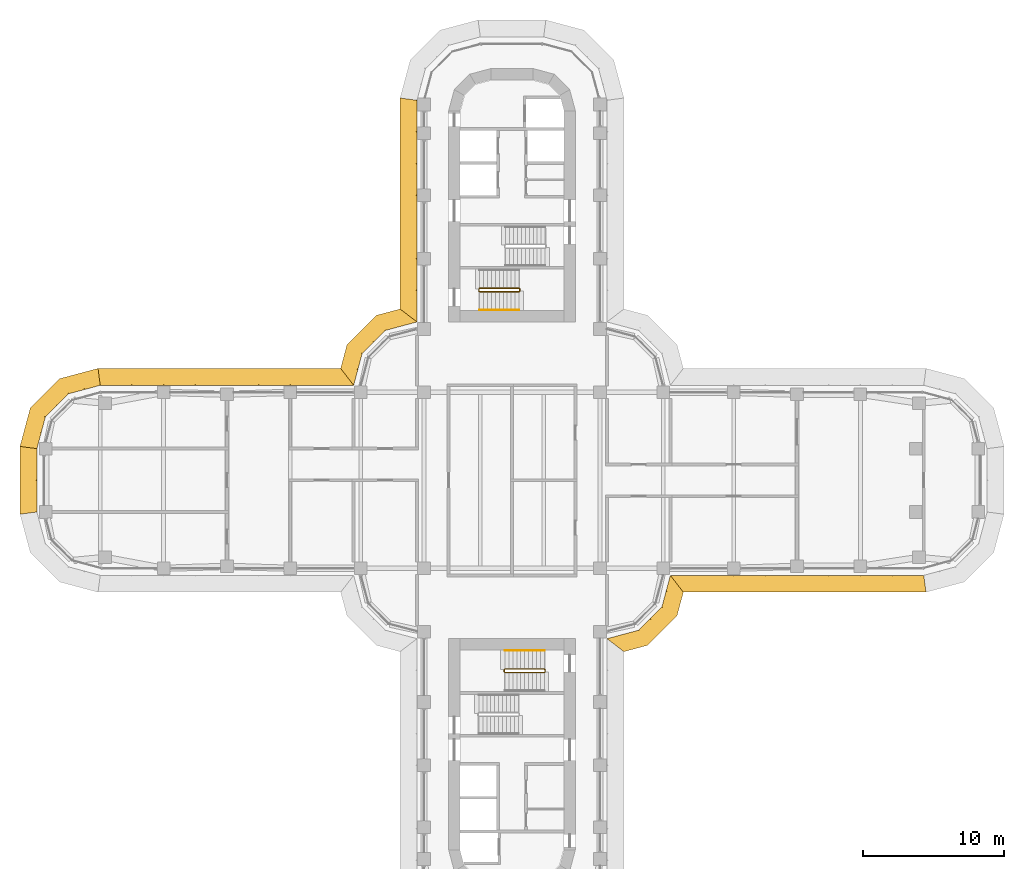
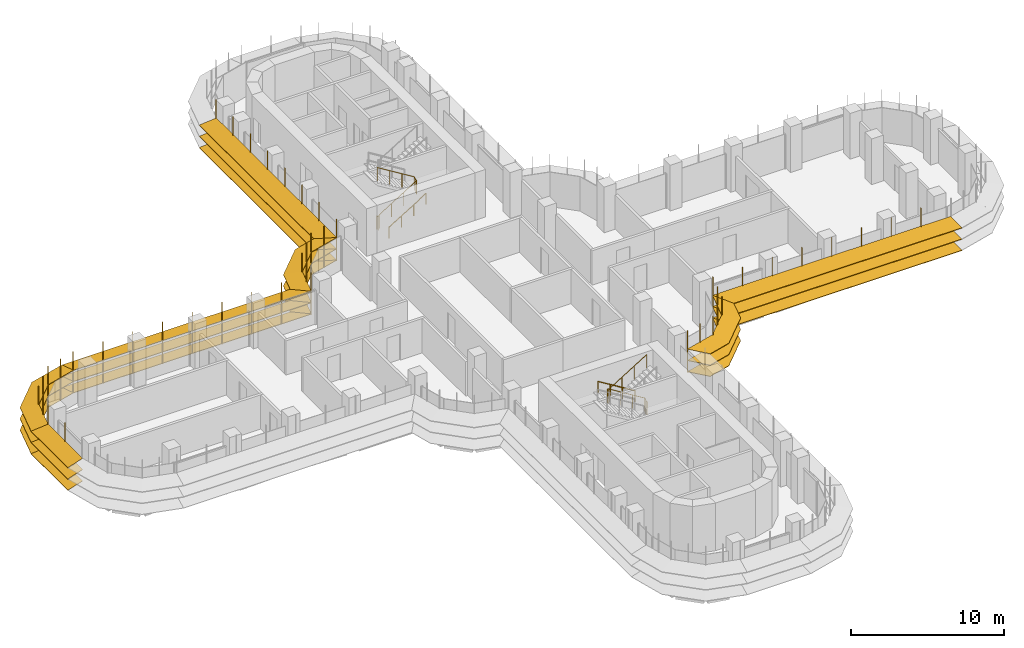
# One storey, part 20 of 22: 7 shading devices, 4 railings.
"""IFC4 building model written with IfcOpenShell, lengths in metres."""

from ifc_helpers import new_model, si_unit, direction, frame, origin, origin_2d, place, context, subcontext, project, spatial, polyline, circle, outline, extrude, faceted_brep, source, transform, mapped, material, type_object, element, save


model = new_model("IFC4")

# Units and contexts
model_context = context("Model", 3, precision=1e-05, world=origin(), true_north=direction((0.0, 1.0)))
body_context = subcontext(model_context, "Body", "Model", "MODEL_VIEW")
ifc_project = project(units=[si_unit("LENGTHUNIT", "METRE"), si_unit("AREAUNIT", "SQUARE_METRE"), si_unit("VOLUMEUNIT", "CUBIC_METRE"), si_unit("PLANEANGLEUNIT", "RADIAN"), si_unit("MASSUNIT", "GRAM", prefix="KILO")], contexts=[model_context])

# Site, building, storey
site_placement = place(None, origin())
site = spatial("IfcSite", under=ifc_project, at=site_placement, CompositionType="ELEMENT")
building_placement = place(site_placement, origin())
building = spatial("IfcBuilding", under=site, at=building_placement, Name="Zarbagh Exchange Tower", CompositionType="ELEMENT")
storey_placement = place(building_placement, frame((0.0, 0.0, 98.0)))
storey = spatial("IfcBuildingStorey", under=building, at=storey_placement, Name="L22", CompositionType="ELEMENT", Elevation=98.0)

# Railings
ifc_material_1 = material(Name="Stainless steel", Category="steel")
railing_type_1 = type_object("IfcRailingType", Name="Stair guard 1100 mm", PredefinedType="GUARDRAIL", material=ifc_material_1)
railing_1_placement = place(storey_placement, frame((-2.35009765625, 13.60009765625, 0.0)))
element("IfcRailing", 1, at=railing_1_placement, inside=storey, type_object=railing_type_1, Name="ST2 stair guard 1", PredefinedType="GUARDRAIL", context=body_context, shape_type="SweptSolid", body=[
    extrude(circle(Radius=0.02392578125, at=origin_2d()), frame((0.0, 0.0, 1.076171875), z_axis=(0.0, -1.0, 0.0), x_axis=(1.0, 0.0, 0.0)), (0.0, 0.0, 1.0), 0.150146484375),
    extrude(circle(Radius=0.02392578125, at=origin_2d()), frame((0.0, -0.150146484375, 1.076171875), z_axis=(0.268277960024, -0.268277960024, 0.925231793839), x_axis=(0.707106781187, 0.707106781187, 0.0)), (0.0, 0.0, 1.0), 0.1865234375),
    extrude(circle(Radius=0.02392578125, at=origin_2d()), frame((0.050048828125, -0.2001953125, 1.24853515625), z_axis=(0.851089632645, 0.0, 0.525020415988), x_axis=(0.0, 1.0, 0.0)), (0.0, 0.0, 1.0), 3.2900390625),
    extrude(circle(Radius=0.02392578125, at=origin_2d()), frame((2.85009765625, -0.2001953125, 2.97607421875), z_axis=(0.707106781187, 0.707106781187, 0.0), x_axis=(-0.707106781187, 0.707106781187, 0.0)), (0.0, 0.0, 1.0), 0.07080078125),
    extrude(circle(Radius=0.02392578125, at=origin_2d()), frame((2.900146484375, -0.150146484375, 2.97607421875), z_axis=(0.0, 1.0, 0.0), x_axis=(-1.0, 0.0, 0.0)), (0.0, 0.0, 1.0), 0.150146484375),
    extrude(circle(Radius=0.02392578125, at=origin_2d()), frame((2.900146484375, 0.0, 2.97607421875), z_axis=(-0.268047150085, 0.266739603011, 0.925743328097), x_axis=(-0.705375805398, -0.708833529934, 0.0)), (0.0, 0.0, 1.0), 0.186767578125),
    extrude(circle(Radius=0.02392578125, at=origin_2d()), frame((2.85009765625, 0.0498046875, 3.14892578125), z_axis=(-0.851089632645, 0.0, 0.525020415988), x_axis=(0.0, -1.0, 0.0)), (0.0, 0.0, 1.0), 3.2900390625),
    extrude(circle(Radius=0.02099609375, at=origin_2d()), origin(), (0.0, 0.0, 1.0), 1.052001953125),
    extrude(circle(Radius=0.02099609375, at=origin_2d()), frame((0.0, -0.150146484375, 0.0)), (0.0, 0.0, 1.0), 1.052001953125),
    extrude(circle(Radius=0.02099609375, at=origin_2d()), frame((0.050048828125, -0.2001953125, 0.172607421875)), (0.0, 0.0, 1.0), 1.052001953125),
    extrude(circle(Radius=0.02099609375, at=origin_2d()), frame((0.9833984375, -0.2001953125, 0.748291015625)), (0.0, 0.0, 1.0), 1.052001953125),
    extrude(circle(Radius=0.02099609375, at=origin_2d()), frame((1.916748046875, -0.2001953125, 1.32421875)), (0.0, 0.0, 1.0), 1.052001953125),
    extrude(circle(Radius=0.02099609375, at=origin_2d()), frame((2.85009765625, -0.2001953125, 1.89990234375)), (0.0, 0.0, 1.0), 1.052001953125),
    extrude(circle(Radius=0.02099609375, at=origin_2d()), frame((2.900146484375, -0.150146484375, 1.89990234375)), (0.0, 0.0, 1.0), 1.052001953125),
    extrude(circle(Radius=0.02099609375, at=origin_2d()), frame((2.900146484375, 0.0, 1.89990234375)), (0.0, 0.0, 1.0), 1.052001953125),
    extrude(circle(Radius=0.02099609375, at=origin_2d()), frame((2.85009765625, 0.0498046875, 2.07275390625)), (0.0, 0.0, 1.0), 1.052001953125),
    extrude(circle(Radius=0.02099609375, at=origin_2d()), frame((1.916748046875, 0.0498046875, 2.6484375)), (0.0, 0.0, 1.0), 1.052001953125),
    extrude(circle(Radius=0.02099609375, at=origin_2d()), frame((0.9833984375, 0.0498046875, 3.224365234375)), (0.0, 0.0, 1.0), 1.052001953125),
    extrude(circle(Radius=0.02099609375, at=origin_2d()), frame((0.050048828125, 0.0498046875, 3.800048828125)), (0.0, 0.0, 1.0), 1.052001953125),
])
railing_2_placement = place(storey_placement, frame((2.35009765625, -13.60009765625, 0.0)))
element("IfcRailing", 2, at=railing_2_placement, inside=storey, type_object=railing_type_1, Name="ST4 stair guard 1", PredefinedType="GUARDRAIL", context=body_context, shape_type="SweptSolid", body=[
    extrude(circle(Radius=0.02392578125, at=origin_2d()), frame((0.0, 0.0, 1.076171875), z_axis=(0.0, 1.0, 0.0), x_axis=(-1.0, 0.0, 0.0)), (0.0, 0.0, 1.0), 0.150146484375),
    extrude(circle(Radius=0.02392578125, at=origin_2d()), frame((0.0, 0.150146484375, 1.076171875), z_axis=(-0.268277960024, 0.268277960024, 0.925231793839), x_axis=(-0.707106781187, -0.707106781187, 0.0)), (0.0, 0.0, 1.0), 0.1865234375),
    extrude(circle(Radius=0.02392578125, at=origin_2d()), frame((-0.050048828125, 0.2001953125, 1.24853515625), z_axis=(-0.851089632645, 0.0, 0.525020415988), x_axis=(0.0, -1.0, 0.0)), (0.0, 0.0, 1.0), 3.2900390625),
    extrude(circle(Radius=0.02392578125, at=origin_2d()), frame((-2.85009765625, 0.2001953125, 2.97607421875), z_axis=(-0.707106781187, -0.707106781187, 0.0), x_axis=(0.707106781187, -0.707106781187, 0.0)), (0.0, 0.0, 1.0), 0.07080078125),
    extrude(circle(Radius=0.02392578125, at=origin_2d()), frame((-2.900146484375, 0.150146484375, 2.97607421875), z_axis=(0.0, -1.0, 0.0), x_axis=(1.0, 0.0, 0.0)), (0.0, 0.0, 1.0), 0.150146484375),
    extrude(circle(Radius=0.02392578125, at=origin_2d()), frame((-2.900146484375, 0.0, 2.97607421875), z_axis=(0.268047150085, -0.266739603011, 0.925743328097), x_axis=(0.705375805398, 0.708833529934, 0.0)), (0.0, 0.0, 1.0), 0.186767578125),
    extrude(circle(Radius=0.02392578125, at=origin_2d()), frame((-2.85009765625, -0.0498046875, 3.14892578125), z_axis=(0.851089632645, 0.0, 0.525020415988), x_axis=(0.0, 1.0, 0.0)), (0.0, 0.0, 1.0), 3.2900390625),
    extrude(circle(Radius=0.02099609375, at=origin_2d()), origin(), (0.0, 0.0, 1.0), 1.052001953125),
    extrude(circle(Radius=0.02099609375, at=origin_2d()), frame((0.0, 0.150146484375, 0.0)), (0.0, 0.0, 1.0), 1.052001953125),
    extrude(circle(Radius=0.02099609375, at=origin_2d()), frame((-0.050048828125, 0.2001953125, 0.172607421875)), (0.0, 0.0, 1.0), 1.052001953125),
    extrude(circle(Radius=0.02099609375, at=origin_2d()), frame((-0.9833984375, 0.2001953125, 0.748291015625)), (0.0, 0.0, 1.0), 1.052001953125),
    extrude(circle(Radius=0.02099609375, at=origin_2d()), frame((-1.916748046875, 0.2001953125, 1.32421875)), (0.0, 0.0, 1.0), 1.052001953125),
    extrude(circle(Radius=0.02099609375, at=origin_2d()), frame((-2.85009765625, 0.2001953125, 1.89990234375)), (0.0, 0.0, 1.0), 1.052001953125),
    extrude(circle(Radius=0.02099609375, at=origin_2d()), frame((-2.900146484375, 0.150146484375, 1.89990234375)), (0.0, 0.0, 1.0), 1.052001953125),
    extrude(circle(Radius=0.02099609375, at=origin_2d()), frame((-2.900146484375, 0.0, 1.89990234375)), (0.0, 0.0, 1.0), 1.052001953125),
    extrude(circle(Radius=0.02099609375, at=origin_2d()), frame((-2.85009765625, -0.0498046875, 2.07275390625)), (0.0, 0.0, 1.0), 1.052001953125),
    extrude(circle(Radius=0.02099609375, at=origin_2d()), frame((-1.916748046875, -0.0498046875, 2.6484375)), (0.0, 0.0, 1.0), 1.052001953125),
    extrude(circle(Radius=0.02099609375, at=origin_2d()), frame((-0.9833984375, -0.0498046875, 3.224365234375)), (0.0, 0.0, 1.0), 1.052001953125),
    extrude(circle(Radius=0.02099609375, at=origin_2d()), frame((-0.050048828125, -0.0498046875, 3.800048828125)), (0.0, 0.0, 1.0), 1.052001953125),
])
railing_type_2 = type_object("IfcRailingType", Name="Stair handrail 900 mm", PredefinedType="HANDRAIL", material=ifc_material_1)
railing_3_placement = place(storey_placement, frame((-2.300048828125, 12.10009765625, 0.172607421875)))
element("IfcRailing", 3, at=railing_3_placement, inside=storey, type_object=railing_type_2, Name="ST2 stair handrail 1", PredefinedType="HANDRAIL", context=body_context, shape_type="SweptSolid", body=[
    extrude(circle(Radius=0.02392578125, at=origin_2d()), frame((0.0, 0.0, 0.8759765625), z_axis=(0.851089632645, 0.0, 0.525020415988), x_axis=(0.0, 1.0, 0.0)), (0.0, 0.0, 1.0), 3.2900390625),
    extrude(circle(Radius=0.02099609375, at=origin_2d()), origin(), (0.0, 0.0, 1.0), 0.851806640625),
    extrude(circle(Radius=0.02099609375, at=origin_2d()), frame((0.933349609375, 0.0, 0.57568359375)), (0.0, 0.0, 1.0), 0.851806640625),
    extrude(circle(Radius=0.02099609375, at=origin_2d()), frame((1.86669921875, 0.0, 1.151611328125)), (0.0, 0.0, 1.0), 0.851806640625),
    extrude(circle(Radius=0.02099609375, at=origin_2d()), frame((2.800048828125, 0.0, 1.727294921875)), (0.0, 0.0, 1.0), 0.851806640625),
])
railing_4_placement = place(storey_placement, frame((2.300048828125, -12.10009765625, 0.172607421875)))
element("IfcRailing", 4, at=railing_4_placement, inside=storey, type_object=railing_type_2, Name="ST4 stair handrail 1", PredefinedType="HANDRAIL", context=body_context, shape_type="SweptSolid", body=[
    extrude(circle(Radius=0.02392578125, at=origin_2d()), frame((0.0, 0.0, 0.8759765625), z_axis=(-0.851089632645, 0.0, 0.525020415988), x_axis=(0.0, -1.0, 0.0)), (0.0, 0.0, 1.0), 3.2900390625),
    extrude(circle(Radius=0.02099609375, at=origin_2d()), origin(), (0.0, 0.0, 1.0), 0.851806640625),
    extrude(circle(Radius=0.02099609375, at=origin_2d()), frame((-0.933349609375, 0.0, 0.57568359375)), (0.0, 0.0, 1.0), 0.851806640625),
    extrude(circle(Radius=0.02099609375, at=origin_2d()), frame((-1.86669921875, 0.0, 1.151611328125)), (0.0, 0.0, 1.0), 0.851806640625),
    extrude(circle(Radius=0.02099609375, at=origin_2d()), frame((-2.800048828125, 0.0, 1.727294921875)), (0.0, 0.0, 1.0), 0.851806640625),
])

# Shading devices
ifc_material_2 = material(Name="Anodised aluminium blades and brackets", Category="aluminium")
shading_device_type = type_object("IfcShadingDeviceType", Name="SUNSHADE louvre band, 11.25 degree blades", PredefinedType="JALOUSIE", material=ifc_material_2)
shared_shape_1 = source(origin(), body_context, "Body", "Brep", [
    faceted_brep([(0.0, 0.0, 0.0), (0.0, 0.0, -0.040771484375), (-0.157958984375, -1.199951171875, -0.279541015625), (-0.157958984375, -1.199951171875, -0.23876953125), (2.65087890625, -1.199951171875, -0.23876953125), (2.65087890625, -1.199951171875, -0.279541015625), (2.329345703125, 0.0, -0.040771484375), (2.329345703125, 0.0, 0.0)], [[[0, 1, 2, 3]], [[4, 5, 6, 7]], [[0, 7, 6, 1]], [[1, 6, 5, 2]], [[2, 5, 4, 3]], [[3, 4, 7, 0]]]),
])
shared_shape_2 = source(origin(), body_context, "Body", "Brep", [
    faceted_brep([(0.0, 0.0, 0.0), (0.0, 0.0, -0.040771484375), (-0.321533203125, -1.199951171875, -0.279541015625), (-0.321533203125, -1.199951171875, -0.23876953125), (2.65087890625, -1.199951171875, -0.23876953125), (2.65087890625, -1.199951171875, -0.279541015625), (2.329345703125, 0.0, -0.040771484375), (2.329345703125, 0.0, 0.0)], [[[0, 1, 2, 3]], [[4, 5, 6, 7]], [[0, 7, 6, 1]], [[1, 6, 5, 2]], [[2, 5, 4, 3]], [[3, 4, 7, 0]]]),
])
shared_shape_3 = source(origin(), body_context, "Body", "Brep", [
    faceted_brep([(0.0, 0.0, 0.0), (0.0, 0.0, -0.040771484375), (-0.321533203125, -1.199951171875, -0.279541015625), (-0.321533203125, -1.199951171875, -0.23876953125), (2.4873046875, -1.199951171875, -0.23876953125), (2.4873046875, -1.199951171875, -0.279541015625), (2.329345703125, 0.0, -0.040771484375), (2.329345703125, 0.0, 0.0)], [[[0, 1, 2, 3]], [[4, 5, 6, 7]], [[0, 7, 6, 1]], [[1, 6, 5, 2]], [[2, 5, 4, 3]], [[3, 4, 7, 0]]]),
])
shared_shape_4 = source(origin(), body_context, "Body", "SweptSolid", [
    extrude(outline(polyline([(0.0, -0.012451171875), (0.06005859375, -0.012451171875), (0.06005859375, 0.012451171875), (0.0, 0.012451171875), (0.0, -0.012451171875)])), origin(), (0.0, 0.0, 1.0), 3.350830078125),
])
placement = place(storey_placement, origin())
element("IfcShadingDevice", 5, at=placement, inside=storey, type_object=shading_device_type, Name="SS17 sunshade band", PredefinedType="JALOUSIE", context=body_context, shape_type="MappedRepresentation", body=[
    mapped(shared_shape_1, transform((-29.25, 6.75, 2.300048828125), x_axis=(-0.965924289636, -0.258824779902, 0.0), y_axis=(0.258824779902, -0.965924289636, 0.0), z_axis=(0.0, 0.0, 1.0))),
    mapped(shared_shape_1, transform((-29.25, 6.75, 1.39990234375), x_axis=(-0.965924289636, -0.258824779902, 0.0), y_axis=(0.258824779902, -0.965924289636, 0.0), z_axis=(0.0, 0.0, 1.0))),
    mapped(shared_shape_1, transform((-29.25, 6.75, 0.5), x_axis=(-0.965924289636, -0.258824779902, 0.0), y_axis=(0.258824779902, -0.965924289636, 0.0), z_axis=(0.0, 0.0, 1.0))),
    mapped(shared_shape_2, transform((-31.5, 6.147216796875, 2.300048828125), x_axis=(-0.707106781187, -0.707106781187, 0.0), y_axis=(0.707106781187, -0.707106781187, 0.0), z_axis=(0.0, 0.0, 1.0))),
    mapped(shared_shape_2, transform((-31.5, 6.147216796875, 1.39990234375), x_axis=(-0.707106781187, -0.707106781187, 0.0), y_axis=(0.707106781187, -0.707106781187, 0.0), z_axis=(0.0, 0.0, 1.0))),
    mapped(shared_shape_2, transform((-31.5, 6.147216796875, 0.5), x_axis=(-0.707106781187, -0.707106781187, 0.0), y_axis=(0.707106781187, -0.707106781187, 0.0), z_axis=(0.0, 0.0, 1.0))),
    mapped(shared_shape_3, transform((-33.147216796875, 4.5, 2.300048828125), x_axis=(-0.258824779902, -0.965924289636, 0.0), y_axis=(0.965924289636, -0.258824779902, 0.0), z_axis=(0.0, 0.0, 1.0))),
    mapped(shared_shape_3, transform((-33.147216796875, 4.5, 1.39990234375), x_axis=(-0.258824779902, -0.965924289636, 0.0), y_axis=(0.965924289636, -0.258824779902, 0.0), z_axis=(0.0, 0.0, 1.0))),
    mapped(shared_shape_3, transform((-33.147216796875, 4.5, 0.5), x_axis=(-0.258824779902, -0.965924289636, 0.0), y_axis=(0.965924289636, -0.258824779902, 0.0), z_axis=(0.0, 0.0, 1.0))),
    mapped(shared_shape_4, transform((-29.25, 6.75, 0.42919921875), x_axis=(-0.130529263012, 0.991444457092, 0.0), y_axis=(-0.991444457092, -0.130529263012, 0.0), z_axis=(0.0, 0.0, 1.0))),
    mapped(shared_shape_4, transform((-30.375, 6.448486328125, 0.42919921875), x_axis=(-0.258825058029, 0.96592421511, 0.0), y_axis=(-0.96592421511, -0.258825058029, 0.0), z_axis=(0.0, 0.0, 1.0))),
    mapped(shared_shape_4, transform((-31.5, 6.147216796875, 0.42919921875), x_axis=(-0.50000275701, 0.866023812018, 0.0), y_axis=(-0.866023812018, -0.50000275701, 0.0), z_axis=(0.0, 0.0, 1.0))),
    mapped(shared_shape_4, transform((-32.323486328125, 5.323486328125, 0.42919921875), x_axis=(-0.707106781187, 0.707106781187, 0.0), y_axis=(-0.707106781187, -0.707106781187, 0.0), z_axis=(0.0, 0.0, 1.0))),
    mapped(shared_shape_4, transform((-33.147216796875, 4.5, 0.42919921875), x_axis=(-0.866023812018, 0.50000275701, 0.0), y_axis=(-0.50000275701, -0.866023812018, 0.0), z_axis=(0.0, 0.0, 1.0))),
    mapped(shared_shape_4, transform((-33.448486328125, 3.375, 0.42919921875), x_axis=(-0.96592421511, 0.258825058029, 0.0), y_axis=(-0.258825058029, -0.96592421511, 0.0), z_axis=(0.0, 0.0, 1.0))),
])
shared_shape_5 = source(origin(), body_context, "Body", "Brep", [
    faceted_brep([(0.0, 0.0, 0.0), (0.0, 0.0, -0.040771484375), (0.9208984375, -1.199951171875, -0.279541015625), (0.9208984375, -1.199951171875, -0.23876953125), (2.65087890625, -1.199951171875, -0.23876953125), (2.65087890625, -1.199951171875, -0.279541015625), (2.329345703125, 0.0, -0.040771484375), (2.329345703125, 0.0, 0.0)], [[[0, 1, 2, 3]], [[4, 5, 6, 7]], [[0, 7, 6, 1]], [[1, 6, 5, 2]], [[2, 5, 4, 3]], [[3, 4, 7, 0]]]),
])
shared_shape_6 = source(origin(), body_context, "Body", "Brep", [
    faceted_brep([(0.0, 0.0, 0.0), (0.0, 0.0, -0.040771484375), (-0.321533203125, -1.199951171875, -0.279541015625), (-0.321533203125, -1.199951171875, -0.23876953125), (1.40869140625, -1.199951171875, -0.23876953125), (1.40869140625, -1.199951171875, -0.279541015625), (2.329345703125, 0.0, -0.040771484375), (2.329345703125, 0.0, 0.0)], [[[0, 1, 2, 3]], [[4, 5, 6, 7]], [[0, 7, 6, 1]], [[1, 6, 5, 2]], [[2, 5, 4, 3]], [[3, 4, 7, 0]]]),
])
element("IfcShadingDevice", 6, at=placement, inside=storey, type_object=shading_device_type, Name="SS03 sunshade band", PredefinedType="JALOUSIE", context=body_context, shape_type="MappedRepresentation", body=[
    mapped(shared_shape_5, transform((6.75, -11.25, 2.300048828125), x_axis=(0.965924289636, 0.258824779902, 0.0), y_axis=(-0.258824779902, 0.965924289636, 0.0), z_axis=(0.0, 0.0, 1.0))),
    mapped(shared_shape_5, transform((6.75, -11.25, 1.39990234375), x_axis=(0.965924289636, 0.258824779902, 0.0), y_axis=(-0.258824779902, 0.965924289636, 0.0), z_axis=(0.0, 0.0, 1.0))),
    mapped(shared_shape_5, transform((6.75, -11.25, 0.5), x_axis=(0.965924289636, 0.258824779902, 0.0), y_axis=(-0.258824779902, 0.965924289636, 0.0), z_axis=(0.0, 0.0, 1.0))),
    mapped(shared_shape_2, transform((9.0, -10.647216796875, 2.300048828125), x_axis=(0.707106781187, 0.707106781187, 0.0), y_axis=(-0.707106781187, 0.707106781187, 0.0), z_axis=(0.0, 0.0, 1.0))),
    mapped(shared_shape_2, transform((9.0, -10.647216796875, 1.39990234375), x_axis=(0.707106781187, 0.707106781187, 0.0), y_axis=(-0.707106781187, 0.707106781187, 0.0), z_axis=(0.0, 0.0, 1.0))),
    mapped(shared_shape_2, transform((9.0, -10.647216796875, 0.5), x_axis=(0.707106781187, 0.707106781187, 0.0), y_axis=(-0.707106781187, 0.707106781187, 0.0), z_axis=(0.0, 0.0, 1.0))),
    mapped(shared_shape_6, transform((10.647216796875, -9.0, 2.300048828125), x_axis=(0.258824779902, 0.965924289636, 0.0), y_axis=(-0.965924289636, 0.258824779902, 0.0), z_axis=(0.0, 0.0, 1.0))),
    mapped(shared_shape_6, transform((10.647216796875, -9.0, 1.39990234375), x_axis=(0.258824779902, 0.965924289636, 0.0), y_axis=(-0.965924289636, 0.258824779902, 0.0), z_axis=(0.0, 0.0, 1.0))),
    mapped(shared_shape_6, transform((10.647216796875, -9.0, 0.5), x_axis=(0.258824779902, 0.965924289636, 0.0), y_axis=(-0.965924289636, 0.258824779902, 0.0), z_axis=(0.0, 0.0, 1.0))),
    mapped(shared_shape_4, transform((6.75, -11.25, 0.42919921875), x_axis=(0.793355287, -0.608758892, 0.0), y_axis=(0.608758892, 0.793355287, 0.0), z_axis=(0.0, 0.0, 1.0))),
    mapped(shared_shape_4, transform((7.875, -10.948486328125, 0.42919921875), x_axis=(0.258825058029, -0.96592421511, 0.0), y_axis=(0.96592421511, 0.258825058029, 0.0), z_axis=(0.0, 0.0, 1.0))),
    mapped(shared_shape_4, transform((9.0, -10.647216796875, 0.42919921875), x_axis=(0.50000275701, -0.866023812018, 0.0), y_axis=(0.866023812018, 0.50000275701, 0.0), z_axis=(0.0, 0.0, 1.0))),
    mapped(shared_shape_4, transform((9.823486328125, -9.823486328125, 0.42919921875), x_axis=(0.707106781187, -0.707106781187, 0.0), y_axis=(0.707106781187, 0.707106781187, 0.0), z_axis=(0.0, 0.0, 1.0))),
    mapped(shared_shape_4, transform((10.647216796875, -9.0, 0.42919921875), x_axis=(0.866023812018, -0.50000275701, 0.0), y_axis=(0.50000275701, 0.866023812018, 0.0), z_axis=(0.0, 0.0, 1.0))),
    mapped(shared_shape_4, transform((10.948486328125, -7.875, 0.42919921875), x_axis=(0.96592421511, -0.258825058029, 0.0), y_axis=(0.258825058029, 0.96592421511, 0.0), z_axis=(0.0, 0.0, 1.0))),
])
element("IfcShadingDevice", 7, at=placement, inside=storey, type_object=shading_device_type, Name="SS15 sunshade band", PredefinedType="JALOUSIE", context=body_context, shape_type="MappedRepresentation", body=[
    mapped(shared_shape_5, transform((-6.75, 11.25, 2.300048828125), x_axis=(-0.965924289636, -0.258824779902, 0.0), y_axis=(0.258824779902, -0.965924289636, 0.0), z_axis=(0.0, 0.0, 1.0))),
    mapped(shared_shape_5, transform((-6.75, 11.25, 1.39990234375), x_axis=(-0.965924289636, -0.258824779902, 0.0), y_axis=(0.258824779902, -0.965924289636, 0.0), z_axis=(0.0, 0.0, 1.0))),
    mapped(shared_shape_5, transform((-6.75, 11.25, 0.5), x_axis=(-0.965924289636, -0.258824779902, 0.0), y_axis=(0.258824779902, -0.965924289636, 0.0), z_axis=(0.0, 0.0, 1.0))),
    mapped(shared_shape_2, transform((-9.0, 10.647216796875, 2.300048828125), x_axis=(-0.707106781187, -0.707106781187, 0.0), y_axis=(0.707106781187, -0.707106781187, 0.0), z_axis=(0.0, 0.0, 1.0))),
    mapped(shared_shape_2, transform((-9.0, 10.647216796875, 1.39990234375), x_axis=(-0.707106781187, -0.707106781187, 0.0), y_axis=(0.707106781187, -0.707106781187, 0.0), z_axis=(0.0, 0.0, 1.0))),
    mapped(shared_shape_2, transform((-9.0, 10.647216796875, 0.5), x_axis=(-0.707106781187, -0.707106781187, 0.0), y_axis=(0.707106781187, -0.707106781187, 0.0), z_axis=(0.0, 0.0, 1.0))),
    mapped(shared_shape_6, transform((-10.647216796875, 9.0, 2.300048828125), x_axis=(-0.258824779902, -0.965924289636, 0.0), y_axis=(0.965924289636, -0.258824779902, 0.0), z_axis=(0.0, 0.0, 1.0))),
    mapped(shared_shape_6, transform((-10.647216796875, 9.0, 1.39990234375), x_axis=(-0.258824779902, -0.965924289636, 0.0), y_axis=(0.965924289636, -0.258824779902, 0.0), z_axis=(0.0, 0.0, 1.0))),
    mapped(shared_shape_6, transform((-10.647216796875, 9.0, 0.5), x_axis=(-0.258824779902, -0.965924289636, 0.0), y_axis=(0.965924289636, -0.258824779902, 0.0), z_axis=(0.0, 0.0, 1.0))),
    mapped(shared_shape_4, transform((-6.75, 11.25, 0.42919921875), x_axis=(-0.793355287, 0.608758892, 0.0), y_axis=(-0.608758892, -0.793355287, 0.0), z_axis=(0.0, 0.0, 1.0))),
    mapped(shared_shape_4, transform((-7.875, 10.948486328125, 0.42919921875), x_axis=(-0.258825058029, 0.96592421511, 0.0), y_axis=(-0.96592421511, -0.258825058029, 0.0), z_axis=(0.0, 0.0, 1.0))),
    mapped(shared_shape_4, transform((-9.0, 10.647216796875, 0.42919921875), x_axis=(-0.50000275701, 0.866023812018, 0.0), y_axis=(-0.866023812018, -0.50000275701, 0.0), z_axis=(0.0, 0.0, 1.0))),
    mapped(shared_shape_4, transform((-9.823486328125, 9.823486328125, 0.42919921875), x_axis=(-0.707106781187, 0.707106781187, 0.0), y_axis=(-0.707106781187, -0.707106781187, 0.0), z_axis=(0.0, 0.0, 1.0))),
    mapped(shared_shape_4, transform((-10.647216796875, 9.0, 0.42919921875), x_axis=(-0.866023812018, 0.50000275701, 0.0), y_axis=(-0.50000275701, -0.866023812018, 0.0), z_axis=(0.0, 0.0, 1.0))),
    mapped(shared_shape_4, transform((-10.948486328125, 7.875, 0.42919921875), x_axis=(-0.96592421511, 0.258825058029, 0.0), y_axis=(-0.258825058029, -0.96592421511, 0.0), z_axis=(0.0, 0.0, 1.0))),
])
shared_shape_7 = source(origin(), body_context, "Body", "Brep", [
    faceted_brep([(0.0, 0.0, 0.0), (0.0, 0.0, -0.040771484375), (0.9208984375, -1.199951171875, -0.279541015625), (0.9208984375, -1.199951171875, -0.23876953125), (18.157958984375, -1.199951171875, -0.23876953125), (18.157958984375, -1.199951171875, -0.279541015625), (18.0, 0.0, -0.040771484375), (18.0, 0.0, 0.0)], [[[0, 1, 2, 3]], [[4, 5, 6, 7]], [[0, 7, 6, 1]], [[1, 6, 5, 2]], [[2, 5, 4, 3]], [[3, 4, 7, 0]]]),
])
element("IfcShadingDevice", 8, at=placement, inside=storey, type_object=shading_device_type, Name="SS04 sunshade band", PredefinedType="JALOUSIE", context=body_context, shape_type="MappedRepresentation", body=[
    mapped(shared_shape_7, transform((11.25, -6.75, 2.300048828125), x_axis=(1.0, 0.0, 0.0), y_axis=(0.0, 1.0, 0.0), z_axis=(0.0, 0.0, 1.0))),
    mapped(shared_shape_7, transform((11.25, -6.75, 1.39990234375), x_axis=(1.0, 0.0, 0.0), y_axis=(0.0, 1.0, 0.0), z_axis=(0.0, 0.0, 1.0))),
    mapped(shared_shape_7, transform((11.25, -6.75, 0.5), x_axis=(1.0, 0.0, 0.0), y_axis=(0.0, 1.0, 0.0), z_axis=(0.0, 0.0, 1.0))),
    mapped(shared_shape_4, transform((11.25, -6.75, 0.42919921875), x_axis=(0.608758892, -0.793355287, 0.0), y_axis=(0.793355287, 0.608758892, 0.0), z_axis=(0.0, 0.0, 1.0))),
    mapped(shared_shape_4, transform((13.5, -6.75, 0.42919921875), x_axis=(0.0, -1.0, 0.0), y_axis=(1.0, 0.0, 0.0), z_axis=(0.0, 0.0, 1.0))),
    mapped(shared_shape_4, transform((15.75, -6.75, 0.42919921875), x_axis=(0.0, -1.0, 0.0), y_axis=(1.0, 0.0, 0.0), z_axis=(0.0, 0.0, 1.0))),
    mapped(shared_shape_4, transform((18.0, -6.75, 0.42919921875), x_axis=(0.0, -1.0, 0.0), y_axis=(1.0, 0.0, 0.0), z_axis=(0.0, 0.0, 1.0))),
    mapped(shared_shape_4, transform((20.25, -6.75, 0.42919921875), x_axis=(0.0, -1.0, 0.0), y_axis=(1.0, 0.0, 0.0), z_axis=(0.0, 0.0, 1.0))),
    mapped(shared_shape_4, transform((22.5, -6.75, 0.42919921875), x_axis=(0.0, -1.0, 0.0), y_axis=(1.0, 0.0, 0.0), z_axis=(0.0, 0.0, 1.0))),
    mapped(shared_shape_4, transform((24.75, -6.75, 0.42919921875), x_axis=(0.0, -1.0, 0.0), y_axis=(1.0, 0.0, 0.0), z_axis=(0.0, 0.0, 1.0))),
    mapped(shared_shape_4, transform((27.0, -6.75, 0.42919921875), x_axis=(0.0, -1.0, 0.0), y_axis=(1.0, 0.0, 0.0), z_axis=(0.0, 0.0, 1.0))),
])
shared_shape_8 = source(origin(), body_context, "Body", "Brep", [
    faceted_brep([(0.0, 0.0, 0.0), (0.0, 0.0, -0.040771484375), (-0.157958984375, -1.199951171875, -0.279541015625), (-0.157958984375, -1.199951171875, -0.23876953125), (14.8291015625, -1.199951171875, -0.23876953125), (14.8291015625, -1.199951171875, -0.279541015625), (15.75, 0.0, -0.040771484375), (15.75, 0.0, 0.0)], [[[0, 1, 2, 3]], [[4, 5, 6, 7]], [[0, 7, 6, 1]], [[1, 6, 5, 2]], [[2, 5, 4, 3]], [[3, 4, 7, 0]]]),
])
element("IfcShadingDevice", 9, at=placement, inside=storey, type_object=shading_device_type, Name="SS29 sunshade band", PredefinedType="JALOUSIE", context=body_context, shape_type="MappedRepresentation", body=[
    mapped(shared_shape_8, transform((-6.75, 27.0, 2.300048828125), x_axis=(0.0, -1.0, 0.0), y_axis=(1.0, 0.0, 0.0), z_axis=(0.0, 0.0, 1.0))),
    mapped(shared_shape_8, transform((-6.75, 27.0, 1.39990234375), x_axis=(0.0, -1.0, 0.0), y_axis=(1.0, 0.0, 0.0), z_axis=(0.0, 0.0, 1.0))),
    mapped(shared_shape_8, transform((-6.75, 27.0, 0.5), x_axis=(0.0, -1.0, 0.0), y_axis=(1.0, 0.0, 0.0), z_axis=(0.0, 0.0, 1.0))),
    mapped(shared_shape_4, transform((-6.75, 27.0, 0.42919921875), x_axis=(-0.991444457092, 0.130529263012, 0.0), y_axis=(-0.130529263012, -0.991444457092, 0.0), z_axis=(0.0, 0.0, 1.0))),
    mapped(shared_shape_4, transform((-6.75, 24.75, 0.42919921875), x_axis=(-1.0, 0.0, 0.0), y_axis=(0.0, -1.0, 0.0), z_axis=(0.0, 0.0, 1.0))),
    mapped(shared_shape_4, transform((-6.75, 22.5, 0.42919921875), x_axis=(-1.0, 0.0, 0.0), y_axis=(0.0, -1.0, 0.0), z_axis=(0.0, 0.0, 1.0))),
    mapped(shared_shape_4, transform((-6.75, 20.25, 0.42919921875), x_axis=(-1.0, 0.0, 0.0), y_axis=(0.0, -1.0, 0.0), z_axis=(0.0, 0.0, 1.0))),
    mapped(shared_shape_4, transform((-6.75, 18.0, 0.42919921875), x_axis=(-1.0, 0.0, 0.0), y_axis=(0.0, -1.0, 0.0), z_axis=(0.0, 0.0, 1.0))),
    mapped(shared_shape_4, transform((-6.75, 15.75, 0.42919921875), x_axis=(-1.0, 0.0, 0.0), y_axis=(0.0, -1.0, 0.0), z_axis=(0.0, 0.0, 1.0))),
    mapped(shared_shape_4, transform((-6.75, 13.5, 0.42919921875), x_axis=(-1.0, 0.0, 0.0), y_axis=(0.0, -1.0, 0.0), z_axis=(0.0, 0.0, 1.0))),
])
element("IfcShadingDevice", 10, at=placement, inside=storey, type_object=shading_device_type, Name="SS16 sunshade band", PredefinedType="JALOUSIE", context=body_context, shape_type="MappedRepresentation", body=[
    mapped(shared_shape_7, transform((-11.25, 6.75, 2.300048828125), x_axis=(-1.0, 0.0, 0.0), y_axis=(0.0, -1.0, 0.0), z_axis=(0.0, 0.0, 1.0))),
    mapped(shared_shape_7, transform((-11.25, 6.75, 1.39990234375), x_axis=(-1.0, 0.0, 0.0), y_axis=(0.0, -1.0, 0.0), z_axis=(0.0, 0.0, 1.0))),
    mapped(shared_shape_7, transform((-11.25, 6.75, 0.5), x_axis=(-1.0, 0.0, 0.0), y_axis=(0.0, -1.0, 0.0), z_axis=(0.0, 0.0, 1.0))),
    mapped(shared_shape_4, transform((-11.25, 6.75, 0.42919921875), x_axis=(-0.608758892, 0.793355287, 0.0), y_axis=(-0.793355287, -0.608758892, 0.0), z_axis=(0.0, 0.0, 1.0))),
    mapped(shared_shape_4, transform((-13.5, 6.75, 0.42919921875), x_axis=(0.0, 1.0, 0.0), y_axis=(-1.0, 0.0, 0.0), z_axis=(0.0, 0.0, 1.0))),
    mapped(shared_shape_4, transform((-15.75, 6.75, 0.42919921875), x_axis=(0.0, 1.0, 0.0), y_axis=(-1.0, 0.0, 0.0), z_axis=(0.0, 0.0, 1.0))),
    mapped(shared_shape_4, transform((-18.0, 6.75, 0.42919921875), x_axis=(0.0, 1.0, 0.0), y_axis=(-1.0, 0.0, 0.0), z_axis=(0.0, 0.0, 1.0))),
    mapped(shared_shape_4, transform((-20.25, 6.75, 0.42919921875), x_axis=(0.0, 1.0, 0.0), y_axis=(-1.0, 0.0, 0.0), z_axis=(0.0, 0.0, 1.0))),
    mapped(shared_shape_4, transform((-22.5, 6.75, 0.42919921875), x_axis=(0.0, 1.0, 0.0), y_axis=(-1.0, 0.0, 0.0), z_axis=(0.0, 0.0, 1.0))),
    mapped(shared_shape_4, transform((-24.75, 6.75, 0.42919921875), x_axis=(0.0, 1.0, 0.0), y_axis=(-1.0, 0.0, 0.0), z_axis=(0.0, 0.0, 1.0))),
    mapped(shared_shape_4, transform((-27.0, 6.75, 0.42919921875), x_axis=(0.0, 1.0, 0.0), y_axis=(-1.0, 0.0, 0.0), z_axis=(0.0, 0.0, 1.0))),
])
shared_shape_9 = source(origin(), body_context, "Body", "Brep", [
    faceted_brep([(0.0, 0.0, 0.0), (0.0, 0.0, -0.040771484375), (-0.157958984375, -1.199951171875, -0.279541015625), (-0.157958984375, -1.199951171875, -0.23876953125), (4.657958984375, -1.199951171875, -0.23876953125), (4.657958984375, -1.199951171875, -0.279541015625), (4.5, 0.0, -0.040771484375), (4.5, 0.0, 0.0)], [[[0, 1, 2, 3]], [[4, 5, 6, 7]], [[0, 7, 6, 1]], [[1, 6, 5, 2]], [[2, 5, 4, 3]], [[3, 4, 7, 0]]]),
])
element("IfcShadingDevice", 11, at=placement, inside=storey, type_object=shading_device_type, Name="SS18 sunshade band", PredefinedType="JALOUSIE", context=body_context, shape_type="MappedRepresentation", body=[
    mapped(shared_shape_9, transform((-33.75, 2.25, 2.300048828125), x_axis=(0.0, -1.0, 0.0), y_axis=(1.0, 0.0, 0.0), z_axis=(0.0, 0.0, 1.0))),
    mapped(shared_shape_9, transform((-33.75, 2.25, 1.39990234375), x_axis=(0.0, -1.0, 0.0), y_axis=(1.0, 0.0, 0.0), z_axis=(0.0, 0.0, 1.0))),
    mapped(shared_shape_9, transform((-33.75, 2.25, 0.5), x_axis=(0.0, -1.0, 0.0), y_axis=(1.0, 0.0, 0.0), z_axis=(0.0, 0.0, 1.0))),
    mapped(shared_shape_4, transform((-33.75, 2.25, 0.42919921875), x_axis=(-0.991444457092, 0.130529263012, 0.0), y_axis=(-0.130529263012, -0.991444457092, 0.0), z_axis=(0.0, 0.0, 1.0))),
    mapped(shared_shape_4, transform((-33.75, 0.0, 0.42919921875), x_axis=(-1.0, 0.0, 0.0), y_axis=(0.0, -1.0, 0.0), z_axis=(0.0, 0.0, 1.0))),
])

save(model, "model.ifc")
